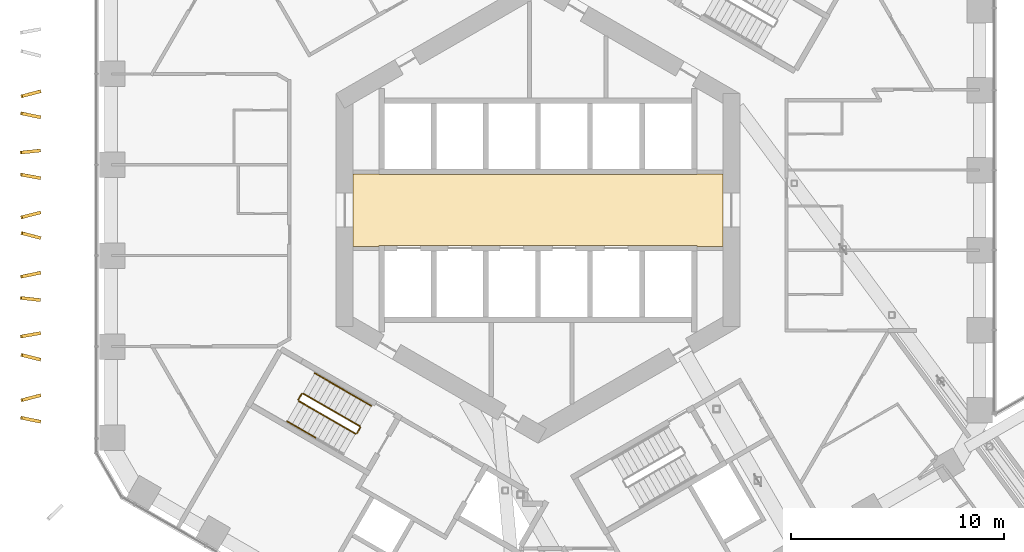
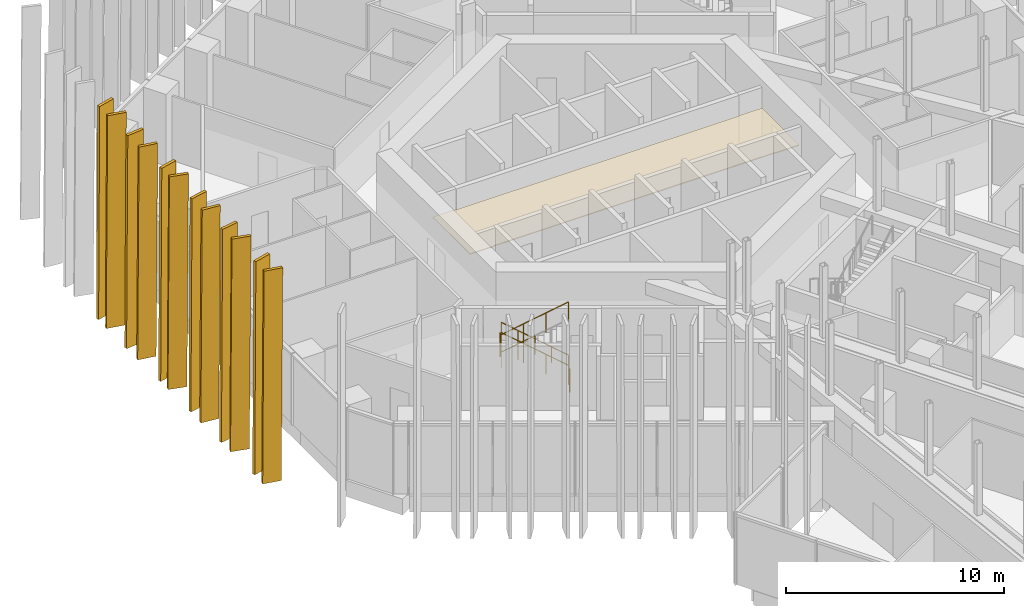
# One storey, part 27 of 29: 12 shading devices, 7 railings, 1 covering.
"""IFC4 building model written with IfcOpenShell, lengths in metres."""

from ifc_helpers import new_model, si_unit, direction, frame, origin, origin_2d, place, context, subcontext, project, spatial, polyline, circle, outline, extrude, material, layer, layer_set, type_object, element, save


model = new_model("IFC4")

# Units and contexts
model_context = context("Model", 3, precision=1e-05, world=origin(), true_north=direction((0.0, 1.0)))
body_context = subcontext(model_context, "Body", "Model", "MODEL_VIEW")
ifc_project = project(units=[si_unit("LENGTHUNIT", "METRE"), si_unit("AREAUNIT", "SQUARE_METRE"), si_unit("VOLUMEUNIT", "CUBIC_METRE"), si_unit("PLANEANGLEUNIT", "RADIAN"), si_unit("MASSUNIT", "GRAM", prefix="KILO")], contexts=[model_context])

# Site, building, storey
site_placement = place(None, origin())
site = spatial("IfcSite", under=ifc_project, at=site_placement, CompositionType="ELEMENT")
building_placement = place(site_placement, origin())
building = spatial("IfcBuilding", under=site, at=building_placement, Name="Ayvan Gate Tower", CompositionType="ELEMENT")
storey_placement = place(building_placement, frame((0.0, 0.0, 66.300048828125)))
storey = spatial("IfcBuildingStorey", under=building, at=storey_placement, Name="L17", CompositionType="ELEMENT", Elevation=66.300048828125)

# Shading devices
ifc_material_1 = material(Name="Bronze anodised aluminium", Category="aluminium")
ifc_layer_1 = layer(ifc_material_1, 0.14990234375)
ifc_layer_set_1 = layer_set([ifc_layer_1], Name="Bronze anodised aluminium")
shading_device_type = type_object("IfcShadingDeviceType", Name="Bronze fin 900 x 150", PredefinedType="USERDEFINED", material=ifc_layer_set_1)
shading_device_1_placement = place(storey_placement, frame((-23.473388671875, 5.65185546875, 0.0), z_axis=(-0.25419950446, 0.967151796583, 0.000119577592), x_axis=(-0.967151803498, -0.254199506277, 0.0)))
element("IfcShadingDevice", 1, at=shading_device_1_placement, inside=storey, type_object=shading_device_type, Name="Bronze fin FG05.12.103", ObjectType="FIN", PredefinedType="USERDEFINED", context=body_context, shape_type="SweptSolid", body=[
    extrude(outline(polyline([(0.0, 0.0), (0.8999221476685185, 3.3881317890172014e-21), (0.8311289929877064, 11.879882897434038), (-0.0687931546808121, 11.879882897434038), (0.0, 0.0)])), origin(), (0.0, 0.0, -1.0), 0.14990234375),
])
shading_device_2_placement = place(storey_placement, frame((-23.4453125, 4.453369140625, 0.0), z_axis=(0.20114771979, 0.979560911882, 0.000121391986), x_axis=(-0.979560919099, 0.201147721274, -1.6128e-08)))
element("IfcShadingDevice", 2, at=shading_device_2_placement, inside=storey, type_object=shading_device_type, Name="Bronze fin FG05.12.104", ObjectType="FIN", PredefinedType="USERDEFINED", context=body_context, shape_type="SweptSolid", body=[
    extrude(outline(polyline([(0.0, 0.0), (0.9000112519658604, 0.0), (0.8311508164222727, 11.879882913435958), (-0.06881132721319853, 11.87988288440578), (0.0, 0.0)])), origin(), (0.0, 0.0, -1.0), 0.14990234375),
])
shading_device_3_placement = place(storey_placement, frame((-23.475830078125, 2.875244140625, 0.0), z_axis=(-0.106068556898, 0.994358811529, 0.000123174831), x_axis=(-0.994358819072, -0.106068557702, -1.772e-09)))
element("IfcShadingDevice", 3, at=shading_device_3_placement, inside=storey, type_object=shading_device_type, Name="Bronze fin FG05.12.105", ObjectType="FIN", PredefinedType="USERDEFINED", context=body_context, shape_type="SweptSolid", body=[
    extrude(outline(polyline([(0.0, 0.0), (0.9000957609328188, -1.6940658945086007e-21), (0.8310149702633655, 11.879882904093469), (-0.06883802728589067, 11.879882900904207), (0.0, 0.0)])), origin(), (0.0, 0.0, -1.0), 0.14990234375),
])
shading_device_4_placement = place(storey_placement, frame((-23.449462890625, 1.58935546875, 0.0), z_axis=(0.177954351711, 0.984038736025, 0.000121286292), x_axis=(-0.984038743262, 0.17795435302, -2.928e-09)))
element("IfcShadingDevice", 4, at=shading_device_4_placement, inside=storey, type_object=shading_device_type, Name="Bronze fin FG05.12.106", ObjectType="FIN", PredefinedType="USERDEFINED", context=body_context, shape_type="SweptSolid", body=[
    extrude(outline(polyline([(0.0, 0.0), (0.8998648870589495, 3.3881317890172014e-21), (0.8311245844759189, 11.879882902312138), (-0.06898054641683482, 11.879882897042044), (0.0, 0.0)])), origin(), (0.0, 0.0, -1.0), 0.14990234375),
])
shading_device_5_placement = place(storey_placement, frame((-23.473876953125, -0.04931640625, 0.0), z_axis=(-0.245342810233, 0.969436377858, 0.000121456285), x_axis=(-0.969436385009, -0.245342812041, -1.5969e-08)))
element("IfcShadingDevice", 5, at=shading_device_5_placement, inside=storey, type_object=shading_device_type, Name="Bronze fin FG05.12.107", ObjectType="FIN", PredefinedType="USERDEFINED", context=body_context, shape_type="SweptSolid", body=[
    extrude(outline(polyline([(0.0, 0.0), (0.9000379741474962, 3.3881317890172014e-21), (0.8311775297854341, 11.879882913397218), (-0.068920342509533, 11.879882884650133), (0.0, 0.0)])), origin(), (0.0, 0.0, -1.0), 0.14990234375),
])
shading_device_6_placement = place(storey_placement, frame((-23.43505859375, -1.226806640625, 0.0), z_axis=(0.254993988542, 0.966942629954, 0.000127222714), x_axis=(-0.966942637779, 0.254993990605, 4.4e-09)))
element("IfcShadingDevice", 6, at=shading_device_6_placement, inside=storey, type_object=shading_device_type, Name="Bronze fin FG05.12.108", ObjectType="FIN", PredefinedType="USERDEFINED", context=body_context, shape_type="SweptSolid", body=[
    extrude(outline(polyline([(0.0, 0.0), (0.9001086071414642, 3.3881317890172014e-21), (0.8310417822732297, 11.87988290498541), (-0.06883075488830805, 11.879882912904543), (0.0, 0.0)])), origin(), (0.0, 0.0, -1.0), 0.14990234375),
])
shading_device_7_placement = place(storey_placement, frame((-23.4755859375, -2.881103515625, 0.0), z_axis=(-0.203856757973, 0.979000717932, 0.000128517093), x_axis=(-0.979000726017, -0.203856759659, 1.7065e-08)))
element("IfcShadingDevice", 7, at=shading_device_7_placement, inside=storey, type_object=shading_device_type, Name="Bronze fin FG05.12.109", ObjectType="FIN", PredefinedType="USERDEFINED", context=body_context, shape_type="SweptSolid", body=[
    extrude(outline(polyline([(0.0, 0.0), (0.9000278084614344, 3.3881317890172014e-21), (0.830994135861869, 11.879882896427253), (-0.06898390288285179, 11.879882927143768), (0.0, 0.0)])), origin(), (0.0, 0.0, -1.0), 0.14990234375),
])
shading_device_8_placement = place(storey_placement, frame((-23.45947265625, -4.150634765625, 0.0), z_axis=(0.109597791495, 0.993976009991, 0.000125148597), x_axis=(-0.993976017775, 0.109597792353, 0.0)))
element("IfcShadingDevice", 8, at=shading_device_8_placement, inside=storey, type_object=shading_device_type, Name="Bronze fin FG05.12.110", ObjectType="FIN", PredefinedType="USERDEFINED", context=body_context, shape_type="SweptSolid", body=[
    extrude(outline(polyline([(0.0, 0.0), (0.8999525481536361, 0.0), (0.8310149496931892, 11.879882905532382), (-0.06893759846044681, 11.879882905532382), (0.0, 0.0)])), origin(), (0.0, 0.0, -1.0), 0.14990234375),
])
shading_device_9_placement = place(storey_placement, frame((-23.47607421875, -5.7197265625, 0.0), z_axis=(-0.174814220602, 0.98460142868, 0.00012213328), x_axis=(-0.984601436023, -0.174814221908, 1.6308e-08)))
element("IfcShadingDevice", 9, at=shading_device_9_placement, inside=storey, type_object=shading_device_type, Name="Bronze fin FG05.12.111", ObjectType="FIN", PredefinedType="USERDEFINED", context=body_context, shape_type="SweptSolid", body=[
    extrude(outline(polyline([(0.0, 0.0), (0.9001119106187547, 0.0), (0.831167859629076, 11.879882887548447), (-0.0689013717362834, 11.879882916906297), (0.0, 0.0)])), origin(), (0.0, 0.0, -1.0), 0.14990234375),
])
shading_device_10_placement = place(storey_placement, frame((-23.437255859375, -6.95068359375, 0.0), z_axis=(0.244258460726, 0.969710157795, 0.000119299331), x_axis=(-0.969710164696, 0.244258462466, -1.5689e-08)))
element("IfcShadingDevice", 10, at=shading_device_10_placement, inside=storey, type_object=shading_device_type, Name="Bronze fin FG05.12.112", ObjectType="FIN", PredefinedType="USERDEFINED", context=body_context, shape_type="SweptSolid", body=[
    extrude(outline(polyline([(0.0, 0.0), (0.9000953890303287, 0.0), (0.8312278809932742, 11.879882910080532), (-0.06880787462336659, 11.87988288183787), (0.0, 0.0)])), origin(), (0.0, 0.0, -1.0), 0.14990234375),
])
shading_device_11_placement = place(storey_placement, frame((-23.473388671875, -8.650146484375, 0.0), z_axis=(-0.255247593865, 0.96687571555, 0.000128476516), x_axis=(-0.966875723529, -0.255247595972, 4.448e-09)))
element("IfcShadingDevice", 11, at=shading_device_11_placement, inside=storey, type_object=shading_device_type, Name="Bronze fin FG05.12.113", ObjectType="FIN", PredefinedType="USERDEFINED", context=body_context, shape_type="SweptSolid", body=[
    extrude(outline(polyline([(0.0, 0.0), (0.8999348306807762, 0.0), (0.8311433089200958, 11.87988290684886), (-0.06902757540412006, 11.879882914856092), (0.0, 0.0)])), origin(), (0.0, 0.0, -1.0), 0.14990234375),
])
shading_device_12_placement = place(storey_placement, frame((-23.445068359375, -9.871337890625, 0.0), z_axis=(0.203022649224, 0.979174032995, 0.000130421754), x_axis=(-0.979174041323, 0.203022650952, -1.7319e-08)))
element("IfcShadingDevice", 12, at=shading_device_12_placement, inside=storey, type_object=shading_device_type, Name="Bronze fin FG05.12.114", ObjectType="FIN", PredefinedType="USERDEFINED", context=body_context, shape_type="SweptSolid", body=[
    extrude(outline(polyline([(0.0, 0.0), (0.9001177379732304, 3.3881317890172014e-21), (0.8312048586365441, 11.879882927932988), (-0.06886331325979357, 11.87988289675572), (0.0, 0.0)])), origin(), (0.0, 0.0, -1.0), 0.14990234375),
])

# Covering
ifc_material_2 = material(Name="Plasterboard suspended ceiling")
ifc_layer_2 = layer(ifc_material_2, 0.050048828125)
ifc_layer_set_2 = layer_set([ifc_layer_2], Name="Plasterboard suspended ceiling")
covering_type = type_object("IfcCoveringType", Name="CT-SUSP-50", PredefinedType="CEILING", material=ifc_layer_set_2)
covering_placement = place(storey_placement, frame((0.0, 0.0, 2.39990234375)))
element("IfcCovering", 13, at=covering_placement, inside=storey, type_object=covering_type, Name="Ceiling Lift Lobby L17", PredefinedType="CEILING", context=body_context, shape_type="SweptSolid", body=[
    extrude(outline(polyline([(7.47509765625, -1.675048828125), (-7.47509765625, -1.675048828125), (-7.47509765625, -1.699951171875), (-8.699951171875, -1.699951171875), (-8.699951171875, 1.699951171875), (-7.47509765625, 1.699951171875), (-7.47509765625, 1.675048828125), (7.47509765625, 1.675048828125), (7.47509765625, 1.699951171875), (8.699951171875, 1.699951171875), (8.699951171875, -1.699951171875), (7.47509765625, -1.699951171875), (7.47509765625, -1.675048828125)])), origin(), (0.0, 0.0, 1.0), 0.050048828125),
])

# Railings
ifc_material_3 = material(Name="Stainless steel balustrade", Category="steel")
railing_type_1 = type_object("IfcRailingType", Name="RL-GUARD-1100", PredefinedType="GUARDRAIL", material=ifc_material_3)
railing_1_placement = place(storey_placement, frame((-8.381103515625, -10.16650390625, 0.16650390625)))
element("IfcRailing", 14, at=railing_1_placement, inside=storey, type_object=railing_type_1, Name="L17 STS2 stair guard 1", PredefinedType="GUARDRAIL", context=body_context, shape_type="SweptSolid", body=[
    extrude(circle(Radius=0.02392578125, at=origin_2d()), frame((0.0, 0.0, 1.076171875), z_axis=(-0.7441639146, 0.429634447492, 0.511502013422), x_axis=(-0.499992328818, -0.866029832698, 0.0)), (0.0, 0.0, 1.0), 3.58447265625),
    extrude(circle(Radius=0.02099609375, at=origin_2d()), origin(), (0.0, 0.0, 1.0), 1.052001953125),
    extrude(circle(Radius=0.02099609375, at=origin_2d()), frame((-0.88916015625, 0.513427734375, 0.611083984375)), (0.0, 0.0, 1.0), 1.052001953125),
    extrude(circle(Radius=0.02099609375, at=origin_2d()), frame((-1.7783203125, 1.026611328125, 1.222412109375)), (0.0, 0.0, 1.0), 1.052001953125),
    extrude(circle(Radius=0.02099609375, at=origin_2d()), frame((-2.66748046875, 1.5400390625, 1.83349609375)), (0.0, 0.0, 1.0), 1.052001953125),
])
railing_2_placement = place(storey_placement, frame((-11.11669921875, -8.644775390625, 2.0)))
element("IfcRailing", 15, at=railing_2_placement, inside=storey, type_object=railing_type_1, Name="L17 STS2 stair guard 2", PredefinedType="GUARDRAIL", context=body_context, shape_type="SweptSolid", body=[
    extrude(circle(Radius=0.02392578125, at=origin_2d()), frame((0.0, 0.0, 1.076171875), z_axis=(-0.499949632511, -0.866054481515, 0.0), x_axis=(0.866054481515, -0.499949632511, 0.0)), (0.0, 0.0, 1.0), 0.31005859375),
    extrude(circle(Radius=0.02099609375, at=origin_2d()), origin(), (0.0, 0.0, 1.0), 1.052001953125),
    extrude(circle(Radius=0.02099609375, at=origin_2d()), frame((-0.155029296875, -0.2685546875, 0.0)), (0.0, 0.0, 1.0), 1.052001953125),
])
railing_3_placement = place(storey_placement, frame((-11.25341796875, -8.981689453125, 2.16650390625)))
element("IfcRailing", 16, at=railing_3_placement, inside=storey, type_object=railing_type_1, Name="L17 STS2 stair guard 3", PredefinedType="GUARDRAIL", context=body_context, shape_type="SweptSolid", body=[
    extrude(circle(Radius=0.02392578125, at=origin_2d()), frame((0.0, 0.0, 1.076171875), z_axis=(0.744155296881, -0.429600682602, 0.511542908886), x_axis=(0.499967199496, 0.866044340336, 0.0)), (0.0, 0.0, 1.0), 3.584228515625),
    extrude(circle(Radius=0.02099609375, at=origin_2d()), origin(), (0.0, 0.0, 1.0), 1.052001953125),
    extrude(circle(Radius=0.02099609375, at=origin_2d()), frame((0.88916015625, -0.51318359375, 0.611083984375)), (0.0, 0.0, 1.0), 1.052001953125),
    extrude(circle(Radius=0.02099609375, at=origin_2d()), frame((1.778076171875, -1.026611328125, 1.222412109375)), (0.0, 0.0, 1.0), 1.052001953125),
    extrude(circle(Radius=0.02099609375, at=origin_2d()), frame((2.667236328125, -1.539794921875, 1.83349609375)), (0.0, 0.0, 1.0), 1.052001953125),
])
railing_4_placement = place(storey_placement, frame((-8.36279296875, -10.23486328125, 0.0)))
element("IfcRailing", 17, at=railing_4_placement, inside=storey, type_object=railing_type_1, Name="L17 STS2 stair guard 4", PredefinedType="GUARDRAIL", context=body_context, shape_type="SweptSolid", body=[
    extrude(circle(Radius=0.02392578125, at=origin_2d()), frame((0.0, 0.0, 1.076171875), z_axis=(-0.500290723946, -0.86585748916, 0.0), x_axis=(0.86585748916, -0.500290723946, 0.0)), (0.0, 0.0, 1.0), 0.309814453125),
    extrude(circle(Radius=0.02099609375, at=origin_2d()), origin(), (0.0, 0.0, 1.0), 1.052001953125),
    extrude(circle(Radius=0.02099609375, at=origin_2d()), frame((-0.155029296875, -0.268310546875, 0.0)), (0.0, 0.0, 1.0), 1.052001953125),
])
railing_type_2 = type_object("IfcRailingType", Name="RL-HANDRAIL-900", PredefinedType="HANDRAIL", material=ifc_material_3)
for number, where, name in (
    (18, (-7.8310546875, -9.2138671875, 0.16650390625), "L17 STS2 stair handrail 1"),
    (19, (-9.164794921875, -8.44384765625, 1.083251953125), "L17 STS2 stair handrail 2"),
):
    element("IfcRailing", number, at=place(storey_placement, frame(where)), inside=storey, type_object=railing_type_2, Name=name, PredefinedType="HANDRAIL", context=body_context, shape_type="SweptSolid", body=[
        extrude(circle(Radius=0.02392578125, at=origin_2d()), frame((0.0, 0.0, 0.8759765625), z_axis=(-0.7441639146, 0.429634447492, 0.511502013422), x_axis=(-0.499992328818, -0.866029832698, 0.0)), (0.0, 0.0, 1.0), 1.792236328125),
        extrude(circle(Radius=0.02099609375, at=origin_2d()), origin(), (0.0, 0.0, 1.0), 0.851806640625),
        extrude(circle(Radius=0.02099609375, at=origin_2d()), frame((-0.6669921875, 0.385009765625, 0.45849609375)), (0.0, 0.0, 1.0), 0.851806640625),
        extrude(circle(Radius=0.02099609375, at=origin_2d()), frame((-1.333740234375, 0.77001953125, 0.916748046875)), (0.0, 0.0, 1.0), 0.851806640625),
    ])
railing_5_placement = place(storey_placement, frame((-11.803466796875, -9.93408203125, 2.16650390625)))
element("IfcRailing", 20, at=railing_5_placement, inside=storey, type_object=railing_type_2, Name="L17 STS2 stair handrail 3", PredefinedType="HANDRAIL", context=body_context, shape_type="SweptSolid", body=[
    extrude(circle(Radius=0.02392578125, at=origin_2d()), frame((0.0, 0.0, 0.8759765625), z_axis=(0.7441639146, -0.429634447492, 0.511502013422), x_axis=(0.499992328818, 0.866029832698, 0.0)), (0.0, 0.0, 1.0), 1.792236328125),
    extrude(circle(Radius=0.02099609375, at=origin_2d()), origin(), (0.0, 0.0, 1.0), 0.851806640625),
    extrude(circle(Radius=0.02099609375, at=origin_2d()), frame((0.6669921875, -0.385009765625, 0.45849609375)), (0.0, 0.0, 1.0), 0.851806640625),
    extrude(circle(Radius=0.02099609375, at=origin_2d()), frame((1.333740234375, -0.77001953125, 0.916748046875)), (0.0, 0.0, 1.0), 0.851806640625),
])

save(model, "model.ifc")
